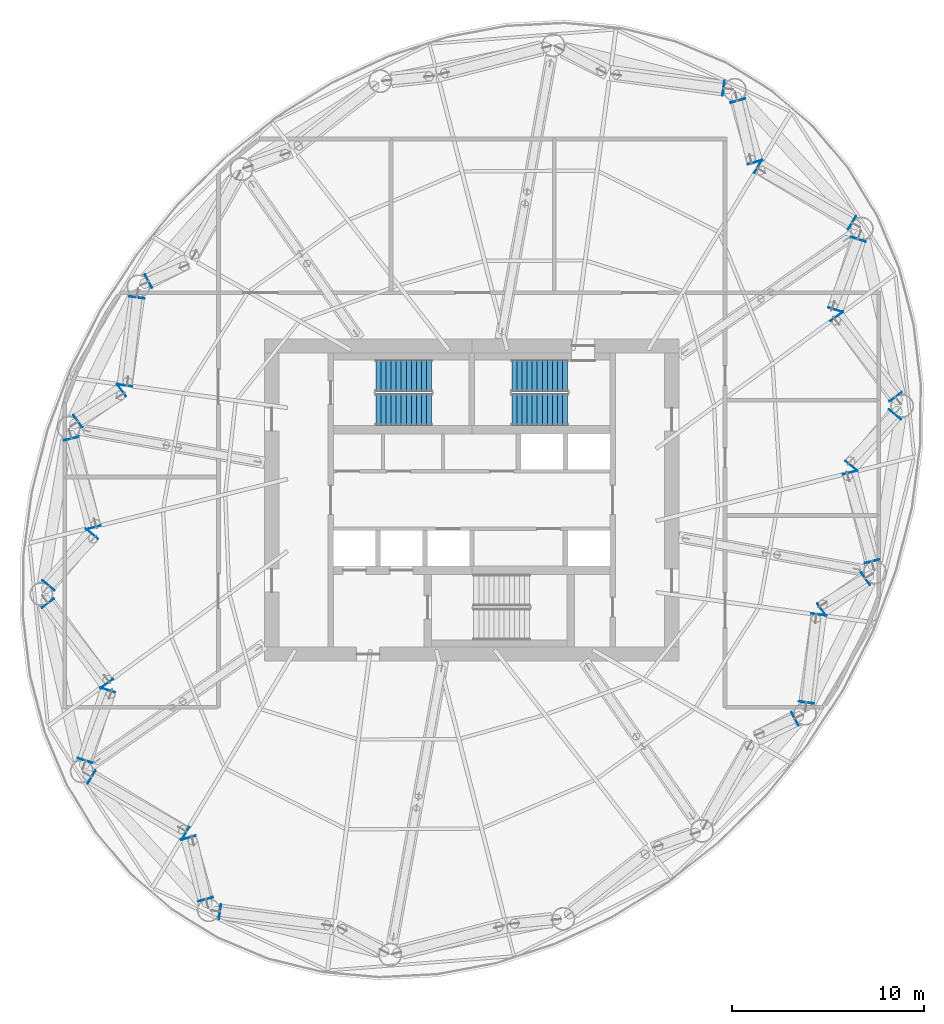
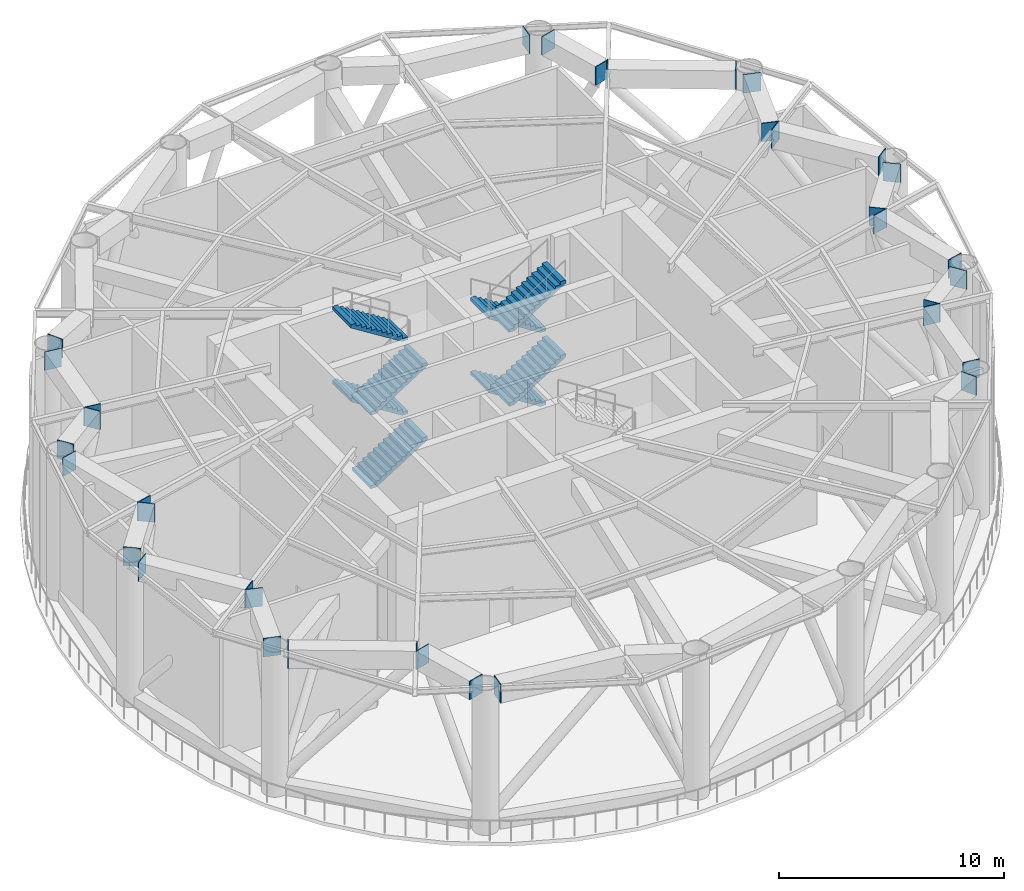
# One storey, part 7 of 15: 36 discrete accessories, 8 stair flights, 2 elements without a shape of their own.
"""IFC4 building model written with IfcOpenShell, lengths in metres."""

from ifc_helpers import new_model, si_unit, direction, frame, origin, origin_2d, place, context, subcontext, project, spatial, polyline, rectangle, outline, extrude, material, type_object, element, aggregate, save


model = new_model("IFC4")

# Units and contexts
model_context = context("Model", 3, precision=1e-05, world=origin(), true_north=direction((0.0, 1.0)))
body_context = subcontext(model_context, "Body", "Model", "MODEL_VIEW")
ifc_project = project(units=[si_unit("LENGTHUNIT", "METRE"), si_unit("AREAUNIT", "SQUARE_METRE"), si_unit("VOLUMEUNIT", "CUBIC_METRE"), si_unit("PLANEANGLEUNIT", "RADIAN"), si_unit("MASSUNIT", "GRAM", prefix="KILO")], contexts=[model_context])

# Site, building, storey
site_placement = place(None, origin())
site = spatial("IfcSite", under=ifc_project, at=site_placement, CompositionType="ELEMENT")
building_placement = place(site_placement, origin())
building = spatial("IfcBuilding", under=site, at=building_placement, Name="Vermilion Reach Broadcast Tower", CompositionType="ELEMENT")
storey_placement = place(building_placement, frame((0.0, 0.0, 246.10009765625)))
storey = spatial("IfcBuildingStorey", under=building, at=storey_placement, Name="L61", CompositionType="ELEMENT", Elevation=246.10009765625)

# Stair, stair flights
ifc_material_1 = material(Name="Concrete C40", Category="concrete")
stair_type = type_object("IfcStairType", Name="Exit stair RC 48 risers 167 mm", PredefinedType="HALF_TURN_STAIR", material=ifc_material_1)
placement = place(storey_placement, origin())
stair_1 = element("IfcStair", 1, at=placement, inside=storey, type_object=stair_type, Name="L61 Exit stair ST1", PredefinedType="HALF_TURN_STAIR")
ifc_material_2 = material(Name="Concrete C40", Category="concrete")
stair_flight_type = type_object("IfcStairFlightType", Name="Exit stair flight RC 12 risers", PredefinedType="STRAIGHT", material=ifc_material_2)
stair_flight_1_placement = place(storey_placement, frame((-11.0, 4.7099609375, 0.0), z_axis=(0.0, 0.0, 1.0), x_axis=(1.0, 0.0, 0.0)))
stair_flight_1 = element("IfcStairFlight", 2, at=stair_flight_1_placement, type_object=stair_flight_type, Name="ST1 flight 1", NumberOfRisers=12, NumberOfTreads=11, PredefinedType="STRAIGHT", RiserHeight=0.166666667, TreadLength=0.265, context=body_context, shape_type="SweptSolid", body=[
    extrude(outline(polyline([(0.0, 0.0), (0.0, 0.166748046875), (0.264892578125, 0.166748046875), (0.264892578125, 0.333251953125), (0.530029296875, 0.333251953125), (0.530029296875, 0.5), (0.794921875, 0.5), (0.794921875, 0.666748046875), (1.06005859375, 0.666748046875), (1.06005859375, 0.833251953125), (1.324951171875, 0.833251953125), (1.324951171875, 1.0), (1.590087890625, 1.0), (1.590087890625, 1.166748046875), (1.85498046875, 1.166748046875), (1.85498046875, 1.333251953125), (2.1201171875, 1.333251953125), (2.1201171875, 1.5), (2.385009765625, 1.5), (2.385009765625, 1.666748046875), (2.64990234375, 1.666748046875), (2.64990234375, 1.833251953125), (2.9150390625, 1.833251953125), (2.9150390625, 2.0), (2.9150390625, 1.65625), (0.281494140625, 0.0), (0.0, 0.0)])), frame((0.0, 0.830078125, 0.0), z_axis=(0.0, -1.0, 0.0), x_axis=(1.0, 0.0, 0.0)), (0.0, 0.0, 1.0), 1.659912109375),
])
stair_flight_2_placement = place(storey_placement, frame((-8.0849609375, 6.469970703125, 2.0), z_axis=(0.0, 0.0, 1.0), x_axis=(-1.0, 0.0, 0.0)))
stair_flight_2 = element("IfcStairFlight", 3, at=stair_flight_2_placement, type_object=stair_flight_type, Name="ST1 flight 2", NumberOfRisers=12, NumberOfTreads=11, PredefinedType="STRAIGHT", RiserHeight=0.166666667, TreadLength=0.265, context=body_context, shape_type="SweptSolid", body=[
    extrude(outline(polyline([(0.0, 0.0), (0.0, 0.166748046875), (0.264892578125, 0.166748046875), (0.264892578125, 0.333251953125), (0.530029296875, 0.333251953125), (0.530029296875, 0.5), (0.794921875, 0.5), (0.794921875, 0.666748046875), (1.06005859375, 0.666748046875), (1.06005859375, 0.833251953125), (1.324951171875, 0.833251953125), (1.324951171875, 1.0), (1.590087890625, 1.0), (1.590087890625, 1.166748046875), (1.85498046875, 1.166748046875), (1.85498046875, 1.333251953125), (2.1201171875, 1.333251953125), (2.1201171875, 1.5), (2.385009765625, 1.5), (2.385009765625, 1.666748046875), (2.64990234375, 1.666748046875), (2.64990234375, 1.833251953125), (2.9150390625, 1.833251953125), (2.9150390625, 2.0), (2.9150390625, 1.65625), (0.281494140625, 0.0), (0.0, 0.0)])), frame((0.0, 0.830078125, 0.0), z_axis=(0.0, -1.0, 0.0), x_axis=(1.0, 0.0, 0.0)), (0.0, 0.0, 1.0), 1.659912109375),
])
stair_flight_3_placement = place(storey_placement, frame((-11.0, 4.7099609375, 4.0), z_axis=(0.0, 0.0, 1.0), x_axis=(1.0, 0.0, 0.0)))
stair_flight_3 = element("IfcStairFlight", 4, at=stair_flight_3_placement, type_object=stair_flight_type, Name="ST1 flight 3", NumberOfRisers=12, NumberOfTreads=11, PredefinedType="STRAIGHT", RiserHeight=0.166666667, TreadLength=0.265, context=body_context, shape_type="SweptSolid", body=[
    extrude(outline(polyline([(0.0, 0.0), (0.0, 0.166748046875), (0.264892578125, 0.166748046875), (0.264892578125, 0.333251953125), (0.530029296875, 0.333251953125), (0.530029296875, 0.5), (0.794921875, 0.5), (0.794921875, 0.666748046875), (1.06005859375, 0.666748046875), (1.06005859375, 0.833251953125), (1.324951171875, 0.833251953125), (1.324951171875, 1.0), (1.590087890625, 1.0), (1.590087890625, 1.166748046875), (1.85498046875, 1.166748046875), (1.85498046875, 1.333251953125), (2.1201171875, 1.333251953125), (2.1201171875, 1.5), (2.385009765625, 1.5), (2.385009765625, 1.666748046875), (2.64990234375, 1.666748046875), (2.64990234375, 1.833251953125), (2.9150390625, 1.833251953125), (2.9150390625, 2.0), (2.9150390625, 1.65625), (0.281494140625, 0.0), (0.0, 0.0)])), frame((0.0, 0.830078125, 0.0), z_axis=(0.0, -1.0, 0.0), x_axis=(1.0, 0.0, 0.0)), (0.0, 0.0, 1.0), 1.659912109375),
])
stair_flight_4_placement = place(storey_placement, frame((-8.0849609375, 6.469970703125, 6.0), z_axis=(0.0, 0.0, 1.0), x_axis=(-1.0, 0.0, 0.0)))
stair_flight_4 = element("IfcStairFlight", 5, at=stair_flight_4_placement, type_object=stair_flight_type, Name="ST1 flight 4", NumberOfRisers=12, NumberOfTreads=11, PredefinedType="STRAIGHT", RiserHeight=0.166666667, TreadLength=0.265, context=body_context, shape_type="SweptSolid", body=[
    extrude(outline(polyline([(0.0, 0.0), (0.0, 0.166748046875), (0.264892578125, 0.166748046875), (0.264892578125, 0.333251953125), (0.530029296875, 0.333251953125), (0.530029296875, 0.5), (0.794921875, 0.5), (0.794921875, 0.666748046875), (1.06005859375, 0.666748046875), (1.06005859375, 0.833251953125), (1.324951171875, 0.833251953125), (1.324951171875, 1.0), (1.590087890625, 1.0), (1.590087890625, 1.166748046875), (1.85498046875, 1.166748046875), (1.85498046875, 1.333251953125), (2.1201171875, 1.333251953125), (2.1201171875, 1.5), (2.385009765625, 1.5), (2.385009765625, 1.666748046875), (2.64990234375, 1.666748046875), (2.64990234375, 1.833251953125), (2.9150390625, 1.833251953125), (2.9150390625, 2.0), (2.9150390625, 1.65625), (0.281494140625, 0.0), (0.0, 0.0)])), frame((0.0, 0.830078125, 0.0), z_axis=(0.0, -1.0, 0.0), x_axis=(1.0, 0.0, 0.0)), (0.0, 0.0, 1.0), 1.659912109375),
])
aggregate(stair_1, [stair_flight_1, stair_flight_2, stair_flight_3, stair_flight_4])

stair_2 = element("IfcStair", 6, at=placement, inside=storey, type_object=stair_type, Name="L61 Exit stair ST2", PredefinedType="HALF_TURN_STAIR")
stair_flight_5_placement = place(storey_placement, frame((-1.0, 6.469970703125, 0.0), z_axis=(0.0, 0.0, 1.0), x_axis=(-1.0, 0.0, 0.0)))
stair_flight_5 = element("IfcStairFlight", 7, at=stair_flight_5_placement, type_object=stair_flight_type, Name="ST2 flight 1", NumberOfRisers=12, NumberOfTreads=11, PredefinedType="STRAIGHT", RiserHeight=0.166666667, TreadLength=0.265, context=body_context, shape_type="SweptSolid", body=[
    extrude(outline(polyline([(0.0, 0.0), (0.0, 0.166748046875), (0.264892578125, 0.166748046875), (0.264892578125, 0.333251953125), (0.530029296875, 0.333251953125), (0.530029296875, 0.5), (0.794921875, 0.5), (0.794921875, 0.666748046875), (1.06005859375, 0.666748046875), (1.06005859375, 0.833251953125), (1.324951171875, 0.833251953125), (1.324951171875, 1.0), (1.590087890625, 1.0), (1.590087890625, 1.166748046875), (1.85498046875, 1.166748046875), (1.85498046875, 1.333251953125), (2.1201171875, 1.333251953125), (2.1201171875, 1.5), (2.385009765625, 1.5), (2.385009765625, 1.666748046875), (2.64990234375, 1.666748046875), (2.64990234375, 1.833251953125), (2.9150390625, 1.833251953125), (2.9150390625, 2.0), (2.9150390625, 1.65625), (0.281494140625, 0.0), (0.0, 0.0)])), frame((0.0, 0.830078125, 0.0), z_axis=(0.0, -1.0, 0.0), x_axis=(1.0, 0.0, 0.0)), (0.0, 0.0, 1.0), 1.659912109375),
])
stair_flight_6_placement = place(storey_placement, frame((-3.9150390625, 4.7099609375, 2.0), z_axis=(0.0, 0.0, 1.0), x_axis=(1.0, 0.0, 0.0)))
stair_flight_6 = element("IfcStairFlight", 8, at=stair_flight_6_placement, type_object=stair_flight_type, Name="ST2 flight 2", NumberOfRisers=12, NumberOfTreads=11, PredefinedType="STRAIGHT", RiserHeight=0.166666667, TreadLength=0.265, context=body_context, shape_type="SweptSolid", body=[
    extrude(outline(polyline([(0.0, 0.0), (0.0, 0.166748046875), (0.264892578125, 0.166748046875), (0.264892578125, 0.333251953125), (0.530029296875, 0.333251953125), (0.530029296875, 0.5), (0.794921875, 0.5), (0.794921875, 0.666748046875), (1.06005859375, 0.666748046875), (1.06005859375, 0.833251953125), (1.324951171875, 0.833251953125), (1.324951171875, 1.0), (1.590087890625, 1.0), (1.590087890625, 1.166748046875), (1.85498046875, 1.166748046875), (1.85498046875, 1.333251953125), (2.1201171875, 1.333251953125), (2.1201171875, 1.5), (2.385009765625, 1.5), (2.385009765625, 1.666748046875), (2.64990234375, 1.666748046875), (2.64990234375, 1.833251953125), (2.9150390625, 1.833251953125), (2.9150390625, 2.0), (2.9150390625, 1.65625), (0.281494140625, 0.0), (0.0, 0.0)])), frame((0.0, 0.830078125, 0.0), z_axis=(0.0, -1.0, 0.0), x_axis=(1.0, 0.0, 0.0)), (0.0, 0.0, 1.0), 1.659912109375),
])
stair_flight_7_placement = place(storey_placement, frame((-1.0, 6.469970703125, 4.0), z_axis=(0.0, 0.0, 1.0), x_axis=(-1.0, 0.0, 0.0)))
stair_flight_7 = element("IfcStairFlight", 9, at=stair_flight_7_placement, type_object=stair_flight_type, Name="ST2 flight 3", NumberOfRisers=12, NumberOfTreads=11, PredefinedType="STRAIGHT", RiserHeight=0.166666667, TreadLength=0.265, context=body_context, shape_type="SweptSolid", body=[
    extrude(outline(polyline([(0.0, 0.0), (0.0, 0.166748046875), (0.264892578125, 0.166748046875), (0.264892578125, 0.333251953125), (0.530029296875, 0.333251953125), (0.530029296875, 0.5), (0.794921875, 0.5), (0.794921875, 0.666748046875), (1.06005859375, 0.666748046875), (1.06005859375, 0.833251953125), (1.324951171875, 0.833251953125), (1.324951171875, 1.0), (1.590087890625, 1.0), (1.590087890625, 1.166748046875), (1.85498046875, 1.166748046875), (1.85498046875, 1.333251953125), (2.1201171875, 1.333251953125), (2.1201171875, 1.5), (2.385009765625, 1.5), (2.385009765625, 1.666748046875), (2.64990234375, 1.666748046875), (2.64990234375, 1.833251953125), (2.9150390625, 1.833251953125), (2.9150390625, 2.0), (2.9150390625, 1.65625), (0.281494140625, 0.0), (0.0, 0.0)])), frame((0.0, 0.830078125, 0.0), z_axis=(0.0, -1.0, 0.0), x_axis=(1.0, 0.0, 0.0)), (0.0, 0.0, 1.0), 1.659912109375),
])
stair_flight_8_placement = place(storey_placement, frame((-3.9150390625, 4.7099609375, 6.0), z_axis=(0.0, 0.0, 1.0), x_axis=(1.0, 0.0, 0.0)))
stair_flight_8 = element("IfcStairFlight", 10, at=stair_flight_8_placement, type_object=stair_flight_type, Name="ST2 flight 4", NumberOfRisers=12, NumberOfTreads=11, PredefinedType="STRAIGHT", RiserHeight=0.166666667, TreadLength=0.265, context=body_context, shape_type="SweptSolid", body=[
    extrude(outline(polyline([(0.0, 0.0), (0.0, 0.166748046875), (0.264892578125, 0.166748046875), (0.264892578125, 0.333251953125), (0.530029296875, 0.333251953125), (0.530029296875, 0.5), (0.794921875, 0.5), (0.794921875, 0.666748046875), (1.06005859375, 0.666748046875), (1.06005859375, 0.833251953125), (1.324951171875, 0.833251953125), (1.324951171875, 1.0), (1.590087890625, 1.0), (1.590087890625, 1.166748046875), (1.85498046875, 1.166748046875), (1.85498046875, 1.333251953125), (2.1201171875, 1.333251953125), (2.1201171875, 1.5), (2.385009765625, 1.5), (2.385009765625, 1.666748046875), (2.64990234375, 1.666748046875), (2.64990234375, 1.833251953125), (2.9150390625, 1.833251953125), (2.9150390625, 2.0), (2.9150390625, 1.65625), (0.281494140625, 0.0), (0.0, 0.0)])), frame((0.0, 0.830078125, 0.0), z_axis=(0.0, -1.0, 0.0), x_axis=(1.0, 0.0, 0.0)), (0.0, 0.0, 1.0), 1.659912109375),
])
aggregate(stair_2, [stair_flight_5, stair_flight_6, stair_flight_7, stair_flight_8])

# Discrete accessories
for number, where, z_axis, x_axis, name in (
    (11, (-22.8369140625, 11.401123046875, 6.849853515625), (0.0, 0.0, 1.0), (-0.891683371714, -0.452659656485, 0.0), "Belt chord end plate BT4-TC08"),
    (12, (-23.4443359375, 10.549560546875, 6.849853515625), (0.0, 0.0, 1.0), (0.138227089053, 0.990400561314, 0.0), "Belt chord end plate BT4-TC09"),
    (13, (-24.083984375, 5.966552734375, 6.849853515625), (0.0, 0.0, 1.0), (-0.138227089053, -0.990400561314, 0.0), "Belt chord end plate BT4-TC09"),
    (14, (-24.2353515625, 5.718505859375, 6.849853515625), (0.0, 0.0, 1.0), (0.817314734172, 0.576191483194, 0.0), "Belt chord end plate BT4-TC10"),
    (15, (-26.5205078125, 4.107666015625, 6.849853515625), (0.0, 0.0, 1.0), (-0.817314734172, -0.576191483194, 0.0), "Belt chord end plate BT4-TC10"),
    (16, (-26.860595703125, 3.195068359375, 6.849853515625), (0.0, 0.0, 1.0), (-0.240839877686, 0.970564863013, 0.0), "Belt chord end plate BT4-TC11"),
    (17, (-25.711181640625, -1.43701171875, 6.849853515625), (0.0, 0.0, 1.0), (0.240839877686, -0.970564863013, 0.0), "Belt chord end plate BT4-TC11"),
    (18, (-25.787109375, -1.7646484375, 6.849853515625), (0.0, 0.0, 1.0), (0.643444831665, 0.765492487621, 0.0), "Belt chord end plate BT4-TC12"),
    (19, (-28.044189453125, -4.44970703125, 6.849853515625), (0.0, 0.0, 1.0), (-0.643444831665, -0.765492487621, 0.0), "Belt chord end plate BT4-TC12"),
    (20, (-28.075927734375, -5.3779296875, 6.849853515625), (0.0, 0.0, 1.0), (-0.589661471518, 0.807650511674, 0.0), "Belt chord end plate BT4-TC13"),
    (21, (-25.0166015625, -9.568359375, 6.849853515625), (0.0, 0.0, 1.0), (0.589661471518, -0.807650511674, 0.0), "Belt chord end plate BT4-TC13"),
    (22, (-24.962890625, -9.899658203125, 6.849853515625), (0.0, 0.0, 1.0), (0.304615017294, 0.952475559392, 0.0), "Belt chord end plate BT4-TC14"),
    (23, (-26.138427734375, -13.5751953125, 6.849853515625), (0.0, 0.0, 1.0), (-0.304615017294, -0.952475559392, 0.0), "Belt chord end plate BT4-TC14"),
    (24, (-25.8125, -14.44140625, 6.849853515625), (0.0, 0.0, 1.0), (-0.856881450978, 0.515513509977, 0.0), "Belt chord end plate BT4-TC15"),
    (25, (-20.9228515625, -17.383056640625, 6.849853515625), (0.0, 0.0, 1.0), (0.856881450978, -0.515513509977, 0.0), "Belt chord end plate BT4-TC15"),
    (26, (-20.7607421875, -17.595703125, 6.849853515625), (0.0, 0.0, 1.0), (-0.269750408877, 0.962930276246, 0.0), "Belt chord end plate BT4-TC16"),
    (27, (-19.862548828125, -20.802001953125, 6.849853515625), (0.0, 0.0, 1.0), (0.269750408877, -0.962930276246, 0.0), "Belt chord end plate BT4-TC16"),
    (28, (-19.11865234375, -21.4482421875, 6.849853515625), (0.0, 0.0, 1.0), (-0.99119266126, 0.132427747333, 0.0), "Belt chord end plate BT4-TC17"),
    (29, (10.8369140625, -11.401123046875, 6.849853515625), (0.0, 0.0, 1.0), (0.891683371714, 0.452659656485, 0.0), "Belt chord end plate BT4-TC24"),
    (30, (11.4443359375, -10.549560546875, 6.849853515625), (0.0, 0.0, 1.0), (-0.138227089053, -0.990400561314, 0.0), "Belt chord end plate BT4-TC25"),
    (31, (12.083984375, -5.966552734375, 6.849853515625), (0.0, 0.0, 1.0), (0.138227089053, 0.990400561314, 0.0), "Belt chord end plate BT4-TC25"),
    (32, (12.2353515625, -5.718505859375, 6.849853515625), (0.0, 0.0, 1.0), (-0.817314734172, -0.576191483194, 0.0), "Belt chord end plate BT4-TC26"),
    (33, (14.5205078125, -4.107666015625, 6.849853515625), (0.0, 0.0, 1.0), (0.817314734172, 0.576191483194, 0.0), "Belt chord end plate BT4-TC26"),
    (34, (14.860595703125, -3.195068359375, 6.849853515625), (0.0, 0.0, 1.0), (0.240839877686, -0.970564863013, 0.0), "Belt chord end plate BT4-TC27"),
    (35, (13.711181640625, 1.43701171875, 6.849853515625), (0.0, 0.0, 1.0), (-0.240839877686, 0.970564863013, 0.0), "Belt chord end plate BT4-TC27"),
    (36, (13.787109375, 1.7646484375, 6.849853515625), (0.0, 0.0, 1.0), (-0.643444831665, -0.765492487621, 0.0), "Belt chord end plate BT4-TC28"),
    (37, (16.044189453125, 4.44970703125, 6.849853515625), (0.0, 0.0, 1.0), (0.643444831665, 0.765492487621, 0.0), "Belt chord end plate BT4-TC28"),
    (38, (16.075927734375, 5.3779296875, 6.849853515625), (0.0, 0.0, 1.0), (0.589661471518, -0.807650511674, 0.0), "Belt chord end plate BT4-TC29"),
    (39, (13.0166015625, 9.568359375, 6.849853515625), (0.0, 0.0, 1.0), (-0.589661471518, 0.807650511674, 0.0), "Belt chord end plate BT4-TC29"),
    (40, (12.962890625, 9.899658203125, 6.849853515625), (0.0, 0.0, 1.0), (-0.304615017294, -0.952475559392, 0.0), "Belt chord end plate BT4-TC30"),
    (41, (14.138427734375, 13.5751953125, 6.849853515625), (0.0, 0.0, 1.0), (0.304615017294, 0.952475559392, 0.0), "Belt chord end plate BT4-TC30"),
    (42, (13.8125, 14.44140625, 6.849853515625), (0.0, 0.0, 1.0), (0.856881450978, -0.515513509977, 0.0), "Belt chord end plate BT4-TC31"),
    (43, (8.9228515625, 17.383056640625, 6.849853515625), (0.0, 0.0, 1.0), (-0.856881450978, 0.515513509977, 0.0), "Belt chord end plate BT4-TC31"),
    (44, (8.7607421875, 17.595703125, 6.849853515625), (0.0, 0.0, 1.0), (0.269750408877, -0.962930276246, 0.0), "Belt chord end plate BT4-TC32"),
    (45, (7.862548828125, 20.802001953125, 6.849853515625), (0.0, 0.0, 1.0), (-0.269750408877, 0.962930276246, 0.0), "Belt chord end plate BT4-TC32"),
    (46, (7.11865234375, 21.4482421875, 6.849853515625), (0.0, 0.0, 1.0), (0.99119266126, -0.132427747333, 0.0), "Belt chord end plate BT4-TC01"),
):
    element("IfcDiscreteAccessory", number, at=place(storey_placement, frame(where, z_axis=z_axis, x_axis=x_axis)), inside=storey, Name=name, PredefinedType="NOTDEFINED", context=body_context, shape_type="SweptSolid", body=[
        extrude(rectangle(XDim=0.0400390625, YDim=0.800048828125, at=origin_2d()), origin(), (0.0, 0.0, 1.0), 1.0),
    ])

save(model, "model.ifc")
